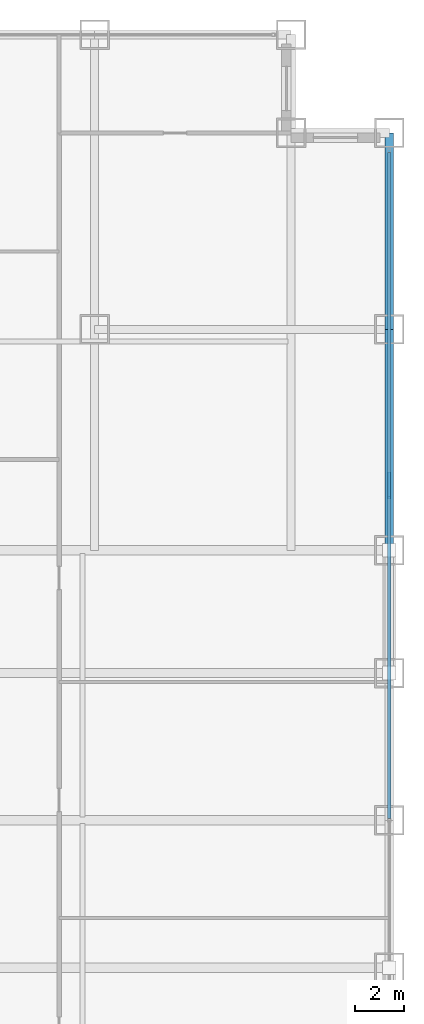
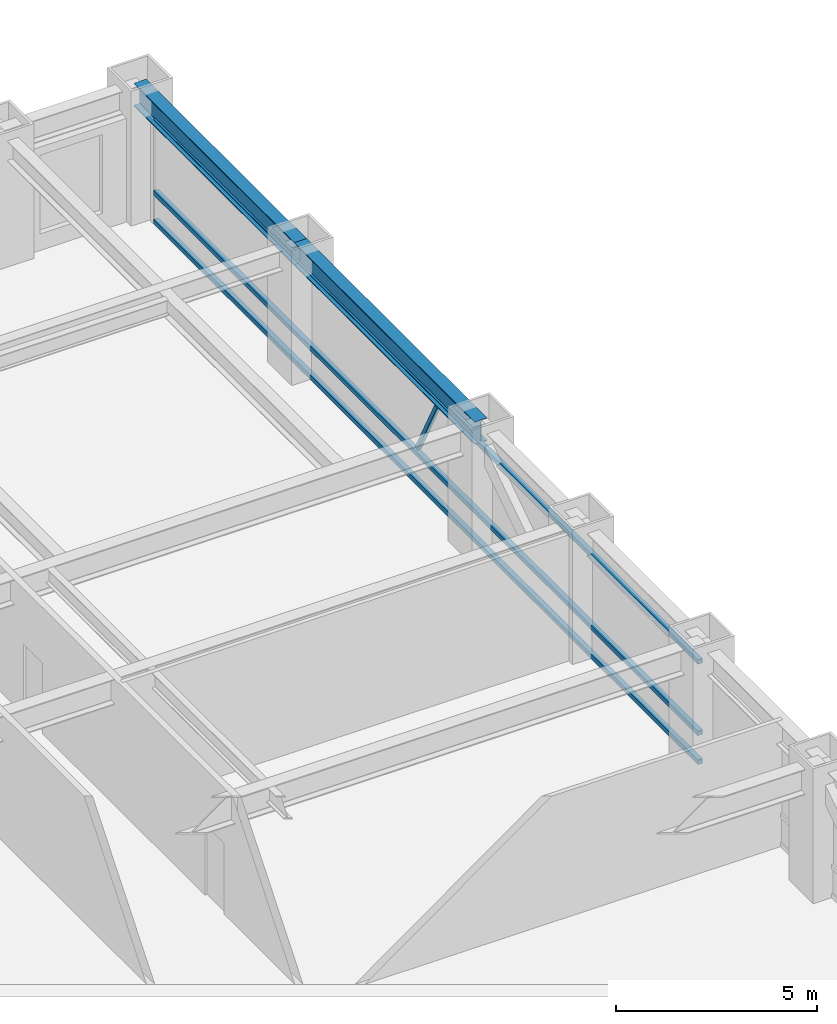
# One storey, part 15 of 27: 4 members, 2 beams, 1 element without a shape of its own.
"""IFC4 building model written with IfcOpenShell, lengths in metres."""

from ifc_helpers import new_model, si_unit, direction, frame, origin, origin_2d, place, context, subcontext, project, spatial, hollow_rectangle, i_section, extrude, source, transform, mapped, material, material_profile, profile_set, type_object, element, aggregate, save


model = new_model("IFC4")

# Units and contexts
model_context = context("Model", 3, precision=1e-05, world=origin(), true_north=direction((0.0, 1.0)))
body_context = subcontext(model_context, "Body", "Model", "MODEL_VIEW")
ifc_project = project(units=[si_unit("LENGTHUNIT", "METRE"), si_unit("AREAUNIT", "SQUARE_METRE"), si_unit("VOLUMEUNIT", "CUBIC_METRE"), si_unit("PLANEANGLEUNIT", "RADIAN"), si_unit("MASSUNIT", "GRAM", prefix="KILO")], contexts=[model_context])

# Site, building, storey
site_placement = place(None, origin())
site = spatial("IfcSite", under=ifc_project, at=site_placement, CompositionType="ELEMENT")
building_placement = place(site_placement, origin())
building = spatial("IfcBuilding", under=site, at=building_placement, Name="Khorayat Bourse Tower", CompositionType="ELEMENT")
storey_placement = place(building_placement, frame((0.0, 0.0, 103.699951171875)))
storey = spatial("IfcBuildingStorey", under=building, at=storey_placement, Name="L23", CompositionType="ELEMENT", Elevation=103.699951171875)

# Beams
ifc_material_1 = material(Name="Steel ASTM A992 Grade 50", Category="steel")
ifc_material_profile_1 = material_profile(ifc_material_1, i_section(OverallWidth=0.35498046875, OverallDepth=0.695068359375, WebThickness=0.015380859375, FlangeThickness=0.02490234375, FilletRadius=0.01806640625, at=origin_2d()), Name="W690X217")
ifc_profile_set_1 = profile_set([ifc_material_profile_1], Name="Steel ASTM A992 Grade 50")
beam_type = type_object("IfcBeamType", Name="BM-SPAN-690", PredefinedType="SPANDREL", material=ifc_profile_set_1)
shared_shape_1 = source(origin(), body_context, "Body", "SweptSolid", [
    extrude(i_section(OverallWidth=0.35498046875, OverallDepth=0.695068359375, WebThickness=0.015380859375, FlangeThickness=0.02490234375, FilletRadius=0.01806640625, at=origin_2d()), origin(), (0.0, 0.0, 1.0), 9.0),
])
beam_1_placement = place(storey_placement, frame((32.0, 11.0, 3.492431640625), z_axis=(0.0, 1.0, 0.0), x_axis=(-1.0, 0.0, 0.0)))
element("IfcBeam", 1, at=beam_1_placement, inside=storey, type_object=beam_type, Name="L23 BM-SPAN-690 BM-L23-SPN-040", PredefinedType="SPANDREL", context=body_context, shape_type="MappedRepresentation", body=[
    mapped(shared_shape_1, transform((0.0, 0.0, 0.0), scale=1.0)),
])
shared_shape_2 = source(origin(), body_context, "Body", "SweptSolid", [
    extrude(i_section(OverallWidth=0.35498046875, OverallDepth=0.695068359375, WebThickness=0.015380859375, FlangeThickness=0.02490234375, FilletRadius=0.01806640625, at=origin_2d()), origin(), (0.0, 0.0, 1.0), 8.0),
])
beam_2_placement = place(storey_placement, frame((32.0, 20.0, 3.492431640625), z_axis=(0.0, 1.0, 0.0), x_axis=(-1.0, 0.0, 0.0)))
element("IfcBeam", 2, at=beam_2_placement, inside=storey, type_object=beam_type, Name="L23 BM-SPAN-690 BM-L23-SPN-041", PredefinedType="SPANDREL", context=body_context, shape_type="MappedRepresentation", body=[
    mapped(shared_shape_2, transform((0.0, 0.0, 0.0), scale=1.0)),
])

# Curtain wall, members
ifc_material_2 = material(Name="Aluminium EN AW-6063 T6", Category="aluminium")
curtain_wall_type = type_object("IfcCurtainWallType", Name="CW-SYS-02", PredefinedType="NOTDEFINED", material=ifc_material_2)
curtain_wall_placement = place(storey_placement, origin())
curtain_wall = element("IfcCurtainWall", 3, at=curtain_wall_placement, inside=storey, type_object=curtain_wall_type, Name="L23 Curtain Wall CW-L23-E1", PredefinedType="NOTDEFINED")
ifc_material_profile_2 = material_profile(ifc_material_2, hollow_rectangle(XDim=0.139892578125, YDim=0.139892578125, WallThickness=0.006103515625, at=origin_2d()), Name="ALU 140x140x6")
ifc_profile_set_2 = profile_set([ifc_material_profile_2], Name="Aluminium EN AW-6063 T6")
member_type_1 = type_object("IfcMemberType", Name="CWT-HORZ-140", PredefinedType="USERDEFINED", material=ifc_profile_set_2)
shared_shape_3 = source(origin(), body_context, "Body", "SweptSolid", [
    extrude(hollow_rectangle(XDim=0.139892578125, YDim=0.139892578125, WallThickness=0.006103515625, at=origin_2d()), origin(), (0.0, 0.0, 1.0), 27.139892578125),
])
member_1_placement = place(storey_placement, frame((32.0, 0.070068359375, 0.070068359375), z_axis=(0.0, 1.0, 0.0), x_axis=(-1.0, 0.0, 0.0)))
member_1 = element("IfcMember", 4, at=member_1_placement, type_object=member_type_1, Name="CW-L23-E1 Horizontal Transom 2-1", ObjectType="TRANSOM", PredefinedType="USERDEFINED", context=body_context, shape_type="MappedRepresentation", body=[
    mapped(shared_shape_3, transform((0.0, 0.0, 0.0), scale=1.0)),
])
member_2_placement = place(storey_placement, frame((32.0, 0.070068359375, 0.949951171875), z_axis=(0.0, 1.0, 0.0), x_axis=(-1.0, 0.0, 0.0)))
member_2 = element("IfcMember", 5, at=member_2_placement, type_object=member_type_1, Name="CW-L23-E1 Horizontal Transom 2-2", ObjectType="TRANSOM", PredefinedType="USERDEFINED", context=body_context, shape_type="MappedRepresentation", body=[
    mapped(shared_shape_3, transform((0.0, 0.0, 0.0), scale=1.0)),
])
member_3_placement = place(storey_placement, frame((32.0, 0.070068359375, 3.1201171875), z_axis=(0.0, 1.0, 0.0), x_axis=(-1.0, 0.0, 0.0)))
member_3 = element("IfcMember", 6, at=member_3_placement, type_object=member_type_1, Name="CW-L23-E1 Horizontal Transom 2-3", ObjectType="TRANSOM", PredefinedType="USERDEFINED", context=body_context, shape_type="MappedRepresentation", body=[
    mapped(shared_shape_3, transform((0.0, 0.0, 0.0), scale=1.0)),
])
ifc_material_profile_3 = material_profile(ifc_material_2, hollow_rectangle(XDim=0.1201171875, YDim=0.1201171875, WallThickness=0.0048828125, at=origin_2d()), Name="ALU 120x120x5")
ifc_profile_set_3 = profile_set([ifc_material_profile_3], Name="Aluminium EN AW-6063 T6")
member_type_2 = type_object("IfcMemberType", Name="CWM-DIAG-120", PredefinedType="MULLION", material=ifc_profile_set_3)
shared_shape_4 = source(origin(), body_context, "Body", "SweptSolid", [
    extrude(hollow_rectangle(XDim=0.1201171875, YDim=0.1201171875, WallThickness=0.0048828125, at=origin_2d()), origin(), (0.0, 0.0, 1.0), 2.113037109375),
])
member_4_placement = place(storey_placement, frame((32.0, 14.132080078125, 1.10009765625), z_axis=(0.0, -0.465741670874, 0.884920728659), x_axis=(1.0, 0.0, 0.0)))
member_4 = element("IfcMember", 7, at=member_4_placement, type_object=member_type_2, Name="CW-L23-E1 Faceted Diagonal Mullion 2", PredefinedType="MULLION", context=body_context, shape_type="MappedRepresentation", body=[
    mapped(shared_shape_4, transform((0.0, 0.0, 0.0), scale=1.0)),
])
aggregate(curtain_wall, [member_1, member_2, member_3, member_4])

save(model, "model.ifc")
